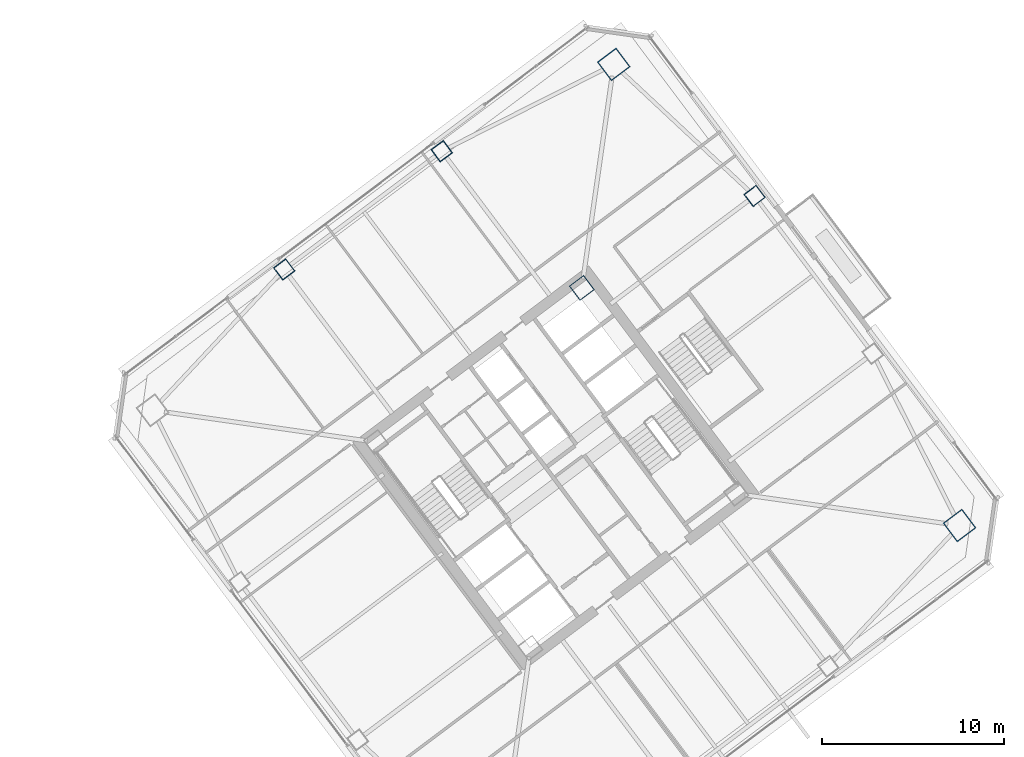
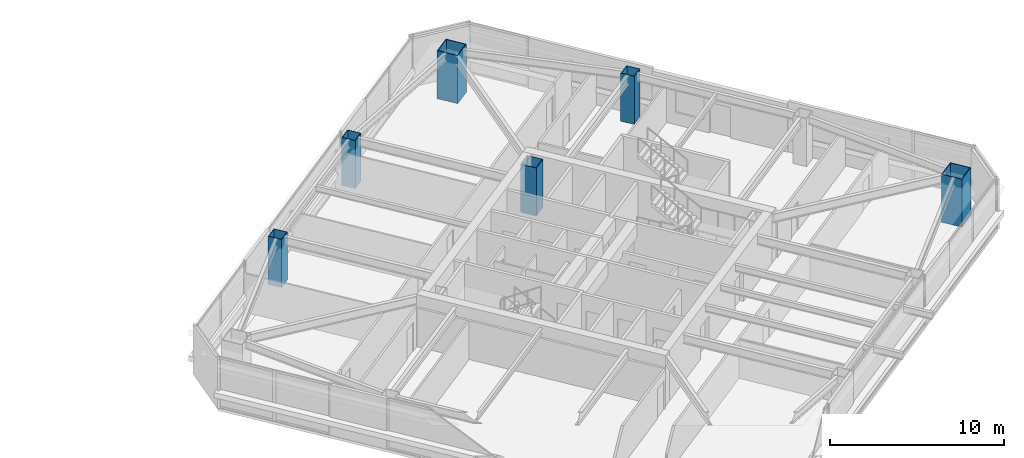
# One storey, part 2 of 46: 6 columns.
"""IFC4 building model written with IfcOpenShell, lengths in metres."""

from ifc_helpers import new_model, si_unit, direction, frame, origin, origin_2d, place, context, subcontext, project, spatial, hollow_rectangle, extrude, material, material_profile, profile_set, type_object, element, save


model = new_model("IFC4")

# Units and contexts
model_context = context("Model", 3, precision=1e-05, world=origin(), true_north=direction((0.0, 1.0)))
body_context = subcontext(model_context, "Body", "Model", "MODEL_VIEW")
ifc_project = project(units=[si_unit("LENGTHUNIT", "METRE"), si_unit("AREAUNIT", "SQUARE_METRE"), si_unit("VOLUMEUNIT", "CUBIC_METRE"), si_unit("PLANEANGLEUNIT", "RADIAN"), si_unit("MASSUNIT", "GRAM", prefix="KILO")], contexts=[model_context])

# Site, building, storey
site_placement = place(None, origin())
site = spatial("IfcSite", under=ifc_project, at=site_placement, CompositionType="ELEMENT")
building_placement = place(site_placement, origin())
building = spatial("IfcBuilding", under=site, at=building_placement, Name="Tashvorn Skyway Center", CompositionType="ELEMENT")
storey_placement = place(building_placement, frame((0.0, 0.0, 132.14990234375)))
storey = spatial("IfcBuildingStorey", under=building, at=storey_placement, Name="L35", CompositionType="ELEMENT", Elevation=132.14990234375)

# Columns
ifc_material = material(Name="Steel ASTM A572 Grade 50", Category="steel")
ifc_material_profile_1 = material_profile(ifc_material, hollow_rectangle(XDim=1.0, YDim=1.0, WallThickness=0.0400390625, at=origin_2d()), Name="BOX1000x1000x40")
ifc_profile_set_1 = profile_set([ifc_material_profile_1], Name="Steel ASTM A572 Grade 50")
column_type_1 = type_object("IfcColumnType", Name="COL-BOX1000x1000x40", PredefinedType="COLUMN", material=ifc_profile_set_1)
column_placement = place(storey_placement, frame((115.409912109375, 41.8701171875, 0.0), z_axis=(0.0, 0.0, 1.0), x_axis=(0.799999996291, 0.600000004945, 0.0)))
element("IfcColumn", 1, at=column_placement, inside=storey, type_object=column_type_1, Name="Tower 2 L35 Core Corner Column CC-NE", PredefinedType="COLUMN", context=body_context, shape_type="SweptSolid", body=[
    extrude(hollow_rectangle(XDim=1.0, YDim=1.0, WallThickness=0.0400390625, at=origin_2d()), origin(), (0.0, 0.0, 1.0), 3.3701171875),
])
ifc_material_profile_2 = material_profile(ifc_material, hollow_rectangle(XDim=1.300048828125, YDim=1.300048828125, WallThickness=0.050048828125, at=origin_2d()), Name="BOX1300x1300x50")
ifc_profile_set_2 = profile_set([ifc_material_profile_2], Name="Steel ASTM A572 Grade 50")
column_type_2 = type_object("IfcColumnType", Name="COL-BOX1300x1300x50", PredefinedType="COLUMN", material=ifc_profile_set_2)
for number, where, z_axis, x_axis, name in (
    (2, (136.1201171875, 28.840087890625, 0.0), (0.0, 0.0, 1.0), (0.799999996291, 0.600000004945, 0.0), "Tower 2 L35 Mega-Column MC-SE"),
    (3, (117.159912109375, 54.1201171875, 0.0), (0.0, 0.0, 1.0), (0.799999996291, 0.600000004945, 0.0), "Tower 2 L35 Mega-Column MC-NE"),
):
    element("IfcColumn", number, at=place(storey_placement, frame(where, z_axis=z_axis, x_axis=x_axis)), inside=storey, type_object=column_type_2, Name=name, PredefinedType="COLUMN", context=body_context, shape_type="SweptSolid", body=[
        extrude(hollow_rectangle(XDim=1.300048828125, YDim=1.300048828125, WallThickness=0.050048828125, at=origin_2d()), origin(), (0.0, 0.0, 1.0), 3.3701171875),
    ])
ifc_material_profile_3 = material_profile(ifc_material, hollow_rectangle(XDim=0.85009765625, YDim=0.85009765625, WallThickness=0.034912109375, at=origin_2d()), Name="BOX850x850x35")
ifc_profile_set_3 = profile_set([ifc_material_profile_3], Name="Steel ASTM A572 Grade 50")
column_type_3 = type_object("IfcColumnType", Name="COL-BOX850x850x35", PredefinedType="COLUMN", material=ifc_profile_set_3)
for number, where, z_axis, x_axis, name in (
    (4, (124.8798828125, 46.909912109375, 0.0), (0.0, 0.0, 1.0), (0.799999996291, 0.600000004945, 0.0), "Tower 2 L35 Perimeter Column FC-E2"),
    (5, (107.72998046875, 49.360107421875, 0.0), (0.0, 0.0, 1.0), (0.799999996291, 0.600000004945, 0.0), "Tower 2 L35 Perimeter Column FC-N1"),
    (6, (99.090087890625, 42.8798828125, 0.0), (0.0, 0.0, 1.0), (0.799999996291, 0.600000004945, 0.0), "Tower 2 L35 Perimeter Column FC-N2"),
):
    element("IfcColumn", number, at=place(storey_placement, frame(where, z_axis=z_axis, x_axis=x_axis)), inside=storey, type_object=column_type_3, Name=name, PredefinedType="COLUMN", context=body_context, shape_type="SweptSolid", body=[
        extrude(hollow_rectangle(XDim=0.85009765625, YDim=0.85009765625, WallThickness=0.034912109375, at=origin_2d()), origin(), (0.0, 0.0, 1.0), 3.3701171875),
    ])

save(model, "model.ifc")
